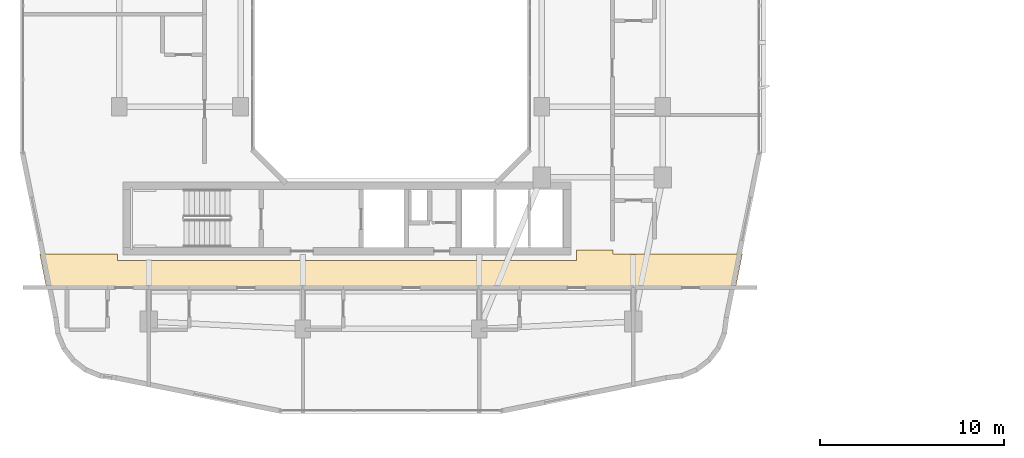
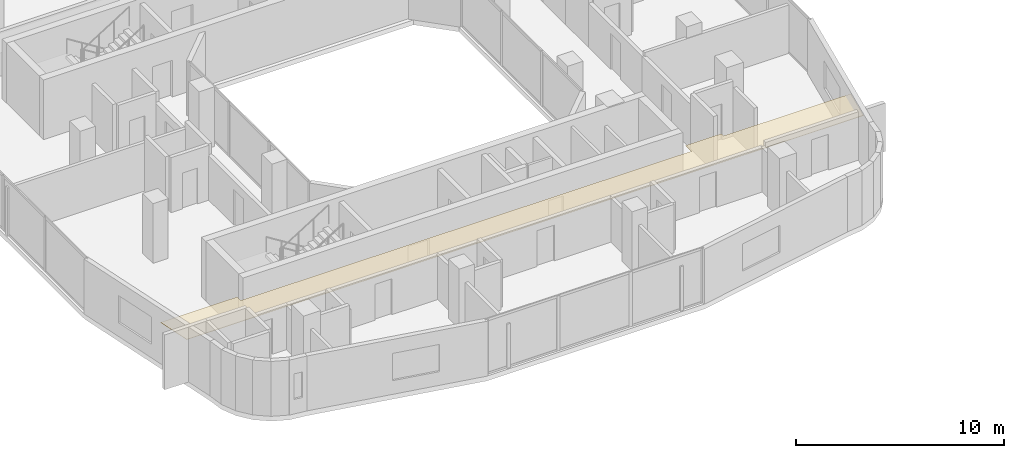
# One storey, part 23 of 26: 1 covering.
"""IFC4 building model written with IfcOpenShell, lengths in metres."""

from ifc_helpers import new_model, si_unit, derived_unit, direction, frame, origin, place, context, subcontext, project, spatial, polyline, outline, extrude, material, layer, layer_set, type_object, element, save


model = new_model("IFC4")

# Units and contexts
model_context = context("Model", 3, precision=1e-05, world=origin(), true_north=direction((0.0, 1.0)))
body_context = subcontext(model_context, "Body", "Model", "MODEL_VIEW")
ifc_project = project(units=[si_unit("LENGTHUNIT", "METRE"), si_unit("AREAUNIT", "SQUARE_METRE"), si_unit("VOLUMEUNIT", "CUBIC_METRE"), si_unit("PLANEANGLEUNIT", "RADIAN"), si_unit("MASSUNIT", "GRAM", prefix="KILO"), derived_unit("THERMALTRANSMITTANCEUNIT", [(si_unit("POWERUNIT", "WATT"), 1), (si_unit("LENGTHUNIT", "METRE"), -2), (si_unit("THERMODYNAMICTEMPERATUREUNIT", "KELVIN"), -1)])], contexts=[model_context])

# Site, building, storey
site_placement = place(None, origin())
site = spatial("IfcSite", under=ifc_project, at=site_placement, CompositionType="ELEMENT")
building_placement = place(site_placement, origin())
building = spatial("IfcBuilding", under=site, at=building_placement, Name="Kivonza Crest Hotel", CompositionType="ELEMENT")
storey_placement = place(building_placement, frame((0.0, 0.0, 105.5)))
storey = spatial("IfcBuildingStorey", under=building, at=storey_placement, Name="L28", CompositionType="ELEMENT", Elevation=105.5)

# Covering
ifc_material = material(Name="Mineral-fibre acoustic ceiling tile", Category="gypsum")
ifc_layer = layer(ifc_material, 0.02490234375)
ifc_layer_set = layer_set([ifc_layer], Name="Mineral-fibre acoustic ceiling tile")
covering_type = type_object("IfcCoveringType", Name="CV-CEIL-ACOU", PredefinedType="CEILING", material=ifc_layer_set)
covering_placement = place(storey_placement, frame((0.0, 0.0, 2.449951171875)))
element("IfcCovering", 1, at=covering_placement, inside=storey, type_object=covering_type, Name="L28 Hotel South Guest Corridor suspended ceiling", PredefinedType="CEILING", context=body_context, shape_type="SweptSolid", body=[
    extrude(outline(polyline([(33.090087890625, 13.47998046875), (33.090087890625, 13.68994140625), (31.10009765625, 13.68994140625), (31.10009765625, 13.139892578125), (6.10009765625, 13.139892578125), (6.10009765625, 13.47998046875), (1.85791015625, 13.47998046875), (2.235107421875, 11.610107421875), (39.764892578125, 11.610107421875), (40.14208984375, 13.47998046875), (33.090087890625, 13.47998046875)])), origin(), (0.0, 0.0, 1.0), 0.025146484375),
])

save(model, "model.ifc")
